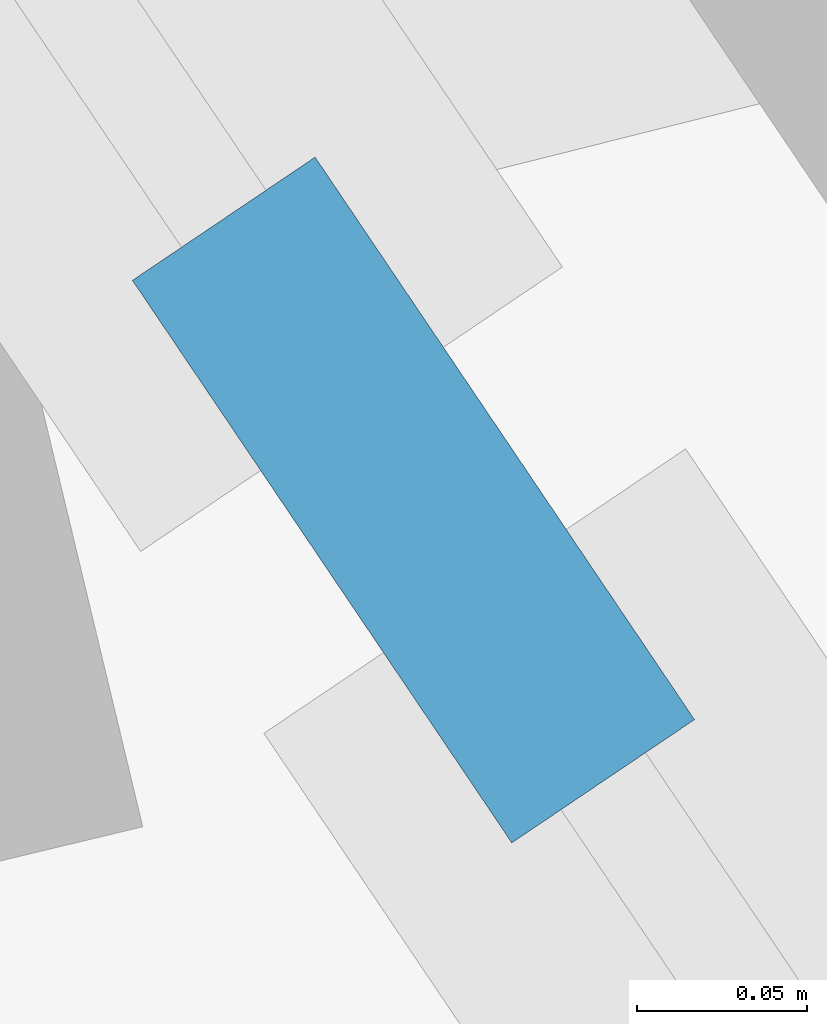
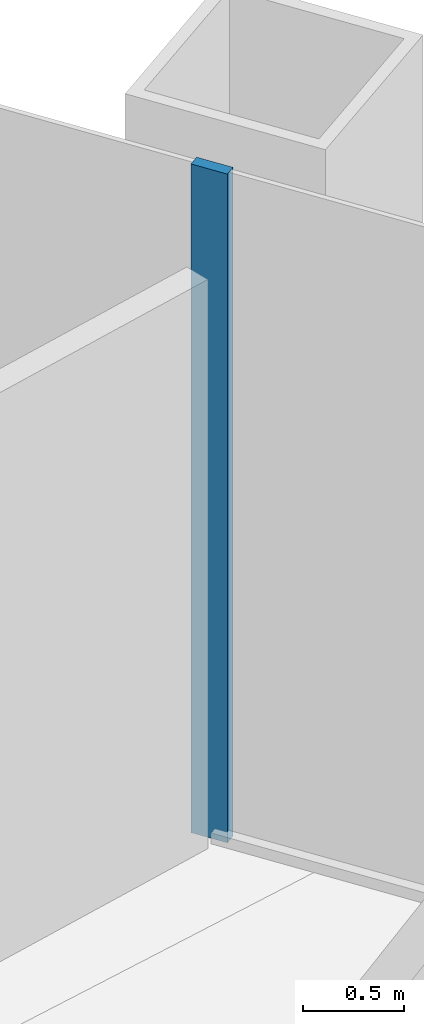
# One storey, part 5 of 13: 1 member, 1 element without a shape of its own.
"""IFC4 building model written with IfcOpenShell, lengths in metres."""

from ifc_helpers import new_model, si_unit, direction, frame, origin, origin_2d, place, context, subcontext, project, spatial, rectangle, extrude, material, material_profile, profile_set, type_object, element, aggregate, save


model = new_model("IFC4")

# Units and contexts
model_context = context("Model", 3, precision=1e-05, world=origin(), true_north=direction((0.0, 1.0)))
body_context = subcontext(model_context, "Body", "Model", "MODEL_VIEW")
ifc_project = project(units=[si_unit("LENGTHUNIT", "METRE"), si_unit("AREAUNIT", "SQUARE_METRE"), si_unit("VOLUMEUNIT", "CUBIC_METRE"), si_unit("PLANEANGLEUNIT", "RADIAN"), si_unit("MASSUNIT", "GRAM", prefix="KILO")], contexts=[model_context])

# Site, building, storey
site_placement = place(None, origin())
site = spatial("IfcSite", under=ifc_project, at=site_placement, CompositionType="ELEMENT")
building_placement = place(site_placement, origin())
building = spatial("IfcBuilding", under=site, at=building_placement, Name="Qingtian Harvest Tower", CompositionType="ELEMENT")
storey_placement = place(building_placement, frame((0.0, 0.0, 214.0)))
storey = spatial("IfcBuildingStorey", under=building, at=storey_placement, Name="L46", CompositionType="ELEMENT", Elevation=214.0)

# Curtain wall, member
ifc_material_1 = material(Name="Bronze-anodised aluminium curtain wall", Category="aluminium")
curtain_wall_type = type_object("IfcCurtainWallType", Name="Curtain wall CW4 office", PredefinedType="USERDEFINED", material=ifc_material_1)
curtain_wall_placement = place(storey_placement, origin())
curtain_wall = element("IfcCurtainWall", 1, at=curtain_wall_placement, inside=storey, type_object=curtain_wall_type, Name="Curtain wall CW4 L46 NE0-5", ObjectType="RECESSED CURTAIN WALL", PredefinedType="USERDEFINED")
ifc_material_2 = material(Name="Bronze-anodised aluminium mullion", Category="aluminium")
ifc_material_profile = material_profile(ifc_material_2, rectangle(XDim=0.06494140625, YDim=0.199951171875, at=origin_2d()), Name="AL 65x200")
ifc_profile_set = profile_set([ifc_material_profile], Name="Bronze-anodised aluminium mullion")
member_type = type_object("IfcMemberType", Name="Mullion CWM 65x200", PredefinedType="MULLION", material=ifc_profile_set)
member_placement = place(storey_placement, frame((23.150390625, 5.55712890625, 0.0), z_axis=(0.0, 0.0, 1.0), x_axis=(0.829037572555, 0.559192903471, 0.0)))
member = element("IfcMember", 2, at=member_placement, type_object=member_type, Name="CW4 mullion 6", PredefinedType="MULLION", context=body_context, shape_type="SweptSolid", body=[
    extrude(rectangle(XDim=0.06494140625, YDim=0.199951171875, at=origin_2d()), origin(), (0.0, 0.0, 1.0), 4.030029296875),
])
aggregate(curtain_wall, [member])

save(model, "model.ifc")
